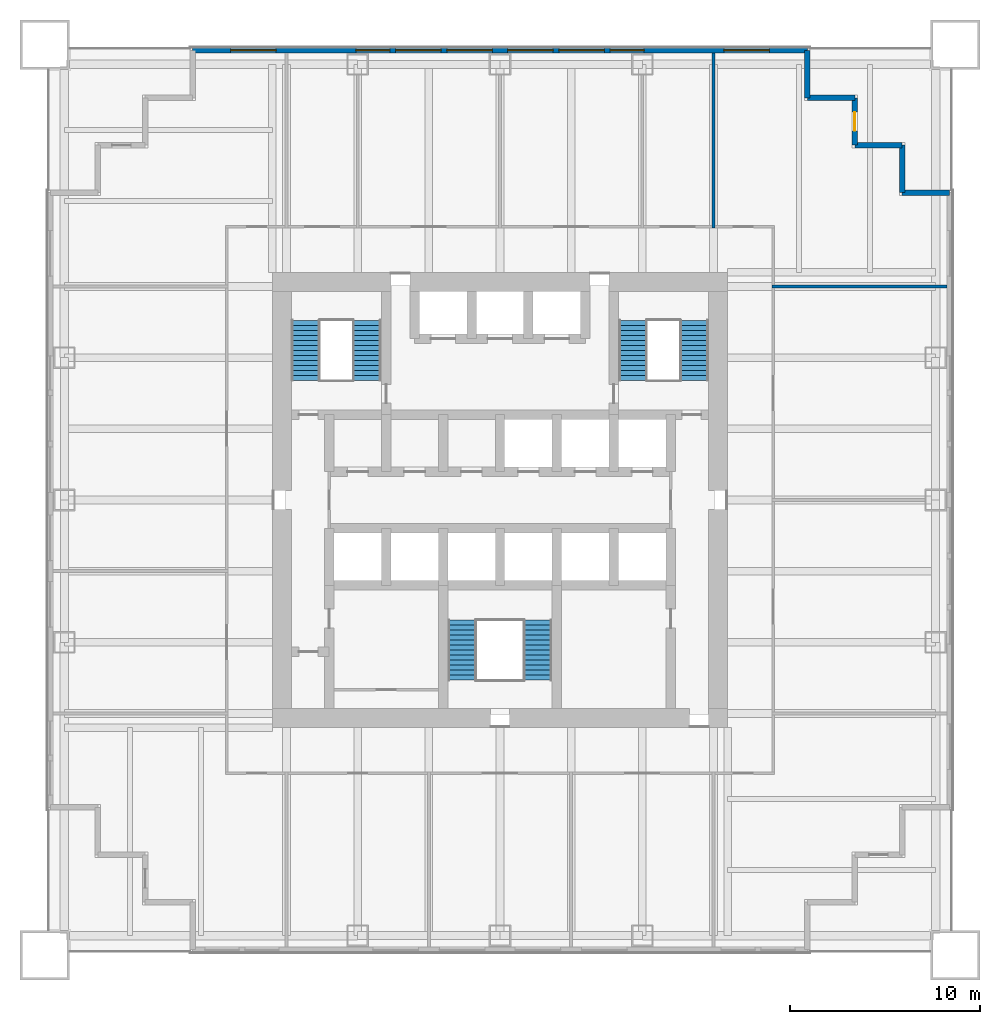
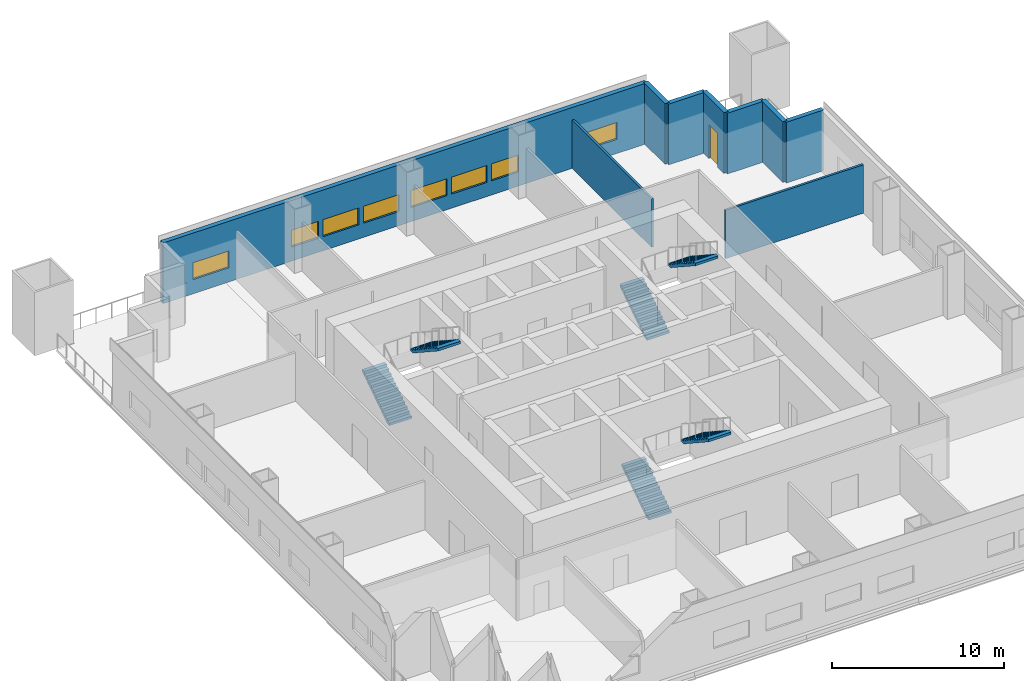
# One storey, part 5 of 6: 9 walls, 8 windows, 6 stair flights, 1 door, 9 openings, 3 elements without a shape of their own.
"""IFC4 building model written with IfcOpenShell, lengths in metres."""

from ifc_helpers import new_model, si_unit, direction, frame, frame_2d, origin, place, context, subcontext, project, spatial, polyline, rectangle, outline, extrude, material, layer, layer_set, type_object, element, fill, aggregate, save


model = new_model("IFC4")

# Units and contexts
model_context = context("Model", 3, precision=1e-05, world=origin(), true_north=direction((0.0, 1.0)))
body_context = subcontext(model_context, "Body", "Model", "MODEL_VIEW")
ifc_project = project(units=[si_unit("LENGTHUNIT", "METRE"), si_unit("AREAUNIT", "SQUARE_METRE"), si_unit("VOLUMEUNIT", "CUBIC_METRE"), si_unit("PLANEANGLEUNIT", "RADIAN"), si_unit("MASSUNIT", "GRAM", prefix="KILO")], contexts=[model_context])

# Site, building, storey
site_placement = place(None, origin())
site = spatial("IfcSite", under=ifc_project, at=site_placement, CompositionType="ELEMENT")
building_placement = place(site_placement, origin())
building = spatial("IfcBuilding", under=site, at=building_placement, Name="Tarangal Relay Tower", CompositionType="ELEMENT")
storey_placement = place(building_placement, frame((0.0, 0.0, 113.39990234375)))
storey = spatial("IfcBuildingStorey", under=building, at=storey_placement, Name="L22", CompositionType="ELEMENT", Elevation=113.39990234375)

# Wall, openings, windows
ifc_material_1 = material(Name="Insulated precast concrete fc' 40 MPa", Category="concrete")
ifc_layer_1 = layer(ifc_material_1, 0.300048828125)
ifc_layer_set_1 = layer_set([ifc_layer_1], Name="Insulated precast concrete fc' 40 MPa")
wall_type_1 = type_object("IfcWallType", Name="Facade wall precast 300", PredefinedType="SOLIDWALL", material=ifc_layer_set_1)
wall_1_placement = place(storey_placement, frame((-16.199951171875, 23.699951171875, 0.0), z_axis=(0.0, 0.0, 1.0), x_axis=(1.0, 0.0, 0.0)))
wall_1 = element("IfcWall", 1, at=wall_1_placement, inside=storey, type_object=wall_type_1, Name="Facade wall N facade L22", PredefinedType="SOLIDWALL", context=body_context, shape_type="SweptSolid", body=[
    extrude(rectangle(XDim=32.39990234375, YDim=0.300048828125, at=frame_2d((16.199951171875, 0.0))), origin(), (0.0, 0.0, 1.0), 4.300048828125),
])
opening_1_placement = place(wall_1_placement, frame((2.0, 0.0, 1.0)))
opening_1 = element("IfcOpeningElement", 2, at=opening_1_placement, cuts=wall_1, Name="Opening WN1", PredefinedType="OPENING", context=body_context, shape_type="SweptSolid", body=[
    extrude(rectangle(XDim=2.39990234375, YDim=1.199951171875, at=frame_2d((1.199951171875, 0.60009765625))), frame((0.0, 0.159912109375, 0.0), z_axis=(0.0, -1.0, 0.0), x_axis=(1.0, 0.0, 0.0)), (0.0, 0.0, 1.0), 0.320068359375),
])
opening_2_placement = place(wall_1_placement, frame((8.60009765625, 0.0, 1.0)))
opening_2 = element("IfcOpeningElement", 3, at=opening_2_placement, cuts=wall_1, Name="Opening WN5", PredefinedType="OPENING", context=body_context, shape_type="SweptSolid", body=[
    extrude(rectangle(XDim=1.800048828125, YDim=1.199951171875, at=frame_2d((0.89990234375, 0.60009765625))), frame((0.0, 0.159912109375, 0.0), z_axis=(0.0, -1.0, 0.0), x_axis=(1.0, 0.0, 0.0)), (0.0, 0.0, 1.0), 0.320068359375),
])
opening_3_placement = place(wall_1_placement, frame((10.699951171875, 0.0, 1.0)))
opening_3 = element("IfcOpeningElement", 4, at=opening_3_placement, cuts=wall_1, Name="Opening WN1", PredefinedType="OPENING", context=body_context, shape_type="SweptSolid", body=[
    extrude(rectangle(XDim=2.39990234375, YDim=1.199951171875, at=frame_2d((1.199951171875, 0.60009765625))), frame((0.0, 0.159912109375, 0.0), z_axis=(0.0, -1.0, 0.0), x_axis=(1.0, 0.0, 0.0)), (0.0, 0.0, 1.0), 0.320068359375),
])
opening_4_placement = place(wall_1_placement, frame((13.39990234375, 0.0, 1.0)))
opening_4 = element("IfcOpeningElement", 5, at=opening_4_placement, cuts=wall_1, Name="Opening WN1", PredefinedType="OPENING", context=body_context, shape_type="SweptSolid", body=[
    extrude(rectangle(XDim=2.39990234375, YDim=1.199951171875, at=frame_2d((1.199951171875, 0.60009765625))), frame((0.0, 0.159912109375, 0.0), z_axis=(0.0, -1.0, 0.0), x_axis=(1.0, 0.0, 0.0)), (0.0, 0.0, 1.0), 0.320068359375),
])
opening_5_placement = place(wall_1_placement, frame((16.60009765625, 0.0, 1.0)))
opening_5 = element("IfcOpeningElement", 6, at=opening_5_placement, cuts=wall_1, Name="Opening WN1", PredefinedType="OPENING", context=body_context, shape_type="SweptSolid", body=[
    extrude(rectangle(XDim=2.39990234375, YDim=1.199951171875, at=frame_2d((1.199951171875, 0.60009765625))), frame((0.0, 0.159912109375, 0.0), z_axis=(0.0, -1.0, 0.0), x_axis=(1.0, 0.0, 0.0)), (0.0, 0.0, 1.0), 0.320068359375),
])
opening_6_placement = place(wall_1_placement, frame((19.300048828125, 0.0, 1.0)))
opening_6 = element("IfcOpeningElement", 7, at=opening_6_placement, cuts=wall_1, Name="Opening WN1", PredefinedType="OPENING", context=body_context, shape_type="SweptSolid", body=[
    extrude(rectangle(XDim=2.39990234375, YDim=1.199951171875, at=frame_2d((1.199951171875, 0.60009765625))), frame((0.0, 0.159912109375, 0.0), z_axis=(0.0, -1.0, 0.0), x_axis=(1.0, 0.0, 0.0)), (0.0, 0.0, 1.0), 0.320068359375),
])
opening_7_placement = place(wall_1_placement, frame((22.0, 0.0, 1.0)))
opening_7 = element("IfcOpeningElement", 8, at=opening_7_placement, cuts=wall_1, Name="Opening WN5", PredefinedType="OPENING", context=body_context, shape_type="SweptSolid", body=[
    extrude(rectangle(XDim=1.800048828125, YDim=1.199951171875, at=frame_2d((0.89990234375, 0.60009765625))), frame((0.0, 0.159912109375, 0.0), z_axis=(0.0, -1.0, 0.0), x_axis=(1.0, 0.0, 0.0)), (0.0, 0.0, 1.0), 0.320068359375),
])
opening_8_placement = place(wall_1_placement, frame((28.0, 0.0, 1.0)))
opening_8 = element("IfcOpeningElement", 9, at=opening_8_placement, cuts=wall_1, Name="Opening WN1", PredefinedType="OPENING", context=body_context, shape_type="SweptSolid", body=[
    extrude(rectangle(XDim=2.39990234375, YDim=1.199951171875, at=frame_2d((1.199951171875, 0.60009765625))), frame((0.0, 0.159912109375, 0.0), z_axis=(0.0, -1.0, 0.0), x_axis=(1.0, 0.0, 0.0)), (0.0, 0.0, 1.0), 0.320068359375),
])
ifc_material_2 = material(Name="Dark tinted double glazing in black aluminium frame", Category="aluminium")
window_type_1 = type_object("IfcWindowType", Name="Ribbon window 1800 x 1200", PartitioningType="SINGLE_PANEL", PredefinedType="WINDOW", material=ifc_material_2)
window_1_placement = place(opening_2_placement, origin())
window_1 = element("IfcWindow", 10, at=window_1_placement, inside=storey, type_object=window_type_1, Name="Ribbon window WN5 N facade L22", OverallHeight=1.199951171875, OverallWidth=1.800048828125, PartitioningType="SINGLE_PANEL", PredefinedType="WINDOW", context=body_context, shape_type="SweptSolid", body=[
    extrude(rectangle(XDim=1.800048828125, YDim=1.199951171875, at=frame_2d((0.89990234375, 0.60009765625))), frame((0.0, 0.030029296875, 0.0), z_axis=(0.0, -1.0, 0.0), x_axis=(1.0, 0.0, 0.0)), (0.0, 0.0, 1.0), 0.06005859375),
])
fill(opening_2, window_1)
window_2_placement = place(opening_7_placement, origin())
window_2 = element("IfcWindow", 11, at=window_2_placement, inside=storey, type_object=window_type_1, Name="Ribbon window WN5 N facade L22", OverallHeight=1.199951171875, OverallWidth=1.800048828125, PartitioningType="SINGLE_PANEL", PredefinedType="WINDOW", context=body_context, shape_type="SweptSolid", body=[
    extrude(rectangle(XDim=1.800048828125, YDim=1.199951171875, at=frame_2d((0.89990234375, 0.60009765625))), frame((0.0, 0.030029296875, 0.0), z_axis=(0.0, -1.0, 0.0), x_axis=(1.0, 0.0, 0.0)), (0.0, 0.0, 1.0), 0.06005859375),
])
fill(opening_7, window_2)
window_type_2 = type_object("IfcWindowType", Name="Ribbon window 2400 x 1200", PartitioningType="SINGLE_PANEL", PredefinedType="WINDOW", material=ifc_material_2)
window_3_placement = place(opening_1_placement, origin())
window_3 = element("IfcWindow", 12, at=window_3_placement, inside=storey, type_object=window_type_2, Name="Ribbon window WN1 N facade L22", OverallHeight=1.199951171875, OverallWidth=2.39990234375, PartitioningType="SINGLE_PANEL", PredefinedType="WINDOW", context=body_context, shape_type="SweptSolid", body=[
    extrude(rectangle(XDim=2.39990234375, YDim=1.199951171875, at=frame_2d((1.199951171875, 0.60009765625))), frame((0.0, 0.030029296875, 0.0), z_axis=(0.0, -1.0, 0.0), x_axis=(1.0, 0.0, 0.0)), (0.0, 0.0, 1.0), 0.06005859375),
])
fill(opening_1, window_3)
window_4_placement = place(opening_3_placement, origin())
window_4 = element("IfcWindow", 13, at=window_4_placement, inside=storey, type_object=window_type_2, Name="Ribbon window WN1 N facade L22", OverallHeight=1.199951171875, OverallWidth=2.39990234375, PartitioningType="SINGLE_PANEL", PredefinedType="WINDOW", context=body_context, shape_type="SweptSolid", body=[
    extrude(rectangle(XDim=2.39990234375, YDim=1.199951171875, at=frame_2d((1.199951171875, 0.60009765625))), frame((0.0, 0.030029296875, 0.0), z_axis=(0.0, -1.0, 0.0), x_axis=(1.0, 0.0, 0.0)), (0.0, 0.0, 1.0), 0.06005859375),
])
fill(opening_3, window_4)
window_5_placement = place(opening_4_placement, origin())
window_5 = element("IfcWindow", 14, at=window_5_placement, inside=storey, type_object=window_type_2, Name="Ribbon window WN1 N facade L22", OverallHeight=1.199951171875, OverallWidth=2.39990234375, PartitioningType="SINGLE_PANEL", PredefinedType="WINDOW", context=body_context, shape_type="SweptSolid", body=[
    extrude(rectangle(XDim=2.39990234375, YDim=1.199951171875, at=frame_2d((1.199951171875, 0.60009765625))), frame((0.0, 0.030029296875, 0.0), z_axis=(0.0, -1.0, 0.0), x_axis=(1.0, 0.0, 0.0)), (0.0, 0.0, 1.0), 0.06005859375),
])
fill(opening_4, window_5)
window_6_placement = place(opening_5_placement, origin())
window_6 = element("IfcWindow", 15, at=window_6_placement, inside=storey, type_object=window_type_2, Name="Ribbon window WN1 N facade L22", OverallHeight=1.199951171875, OverallWidth=2.39990234375, PartitioningType="SINGLE_PANEL", PredefinedType="WINDOW", context=body_context, shape_type="SweptSolid", body=[
    extrude(rectangle(XDim=2.39990234375, YDim=1.199951171875, at=frame_2d((1.199951171875, 0.60009765625))), frame((0.0, 0.030029296875, 0.0), z_axis=(0.0, -1.0, 0.0), x_axis=(1.0, 0.0, 0.0)), (0.0, 0.0, 1.0), 0.06005859375),
])
fill(opening_5, window_6)
window_7_placement = place(opening_6_placement, origin())
window_7 = element("IfcWindow", 16, at=window_7_placement, inside=storey, type_object=window_type_2, Name="Ribbon window WN1 N facade L22", OverallHeight=1.199951171875, OverallWidth=2.39990234375, PartitioningType="SINGLE_PANEL", PredefinedType="WINDOW", context=body_context, shape_type="SweptSolid", body=[
    extrude(rectangle(XDim=2.39990234375, YDim=1.199951171875, at=frame_2d((1.199951171875, 0.60009765625))), frame((0.0, 0.030029296875, 0.0), z_axis=(0.0, -1.0, 0.0), x_axis=(1.0, 0.0, 0.0)), (0.0, 0.0, 1.0), 0.06005859375),
])
fill(opening_6, window_7)
window_8_placement = place(opening_8_placement, origin())
window_8 = element("IfcWindow", 17, at=window_8_placement, inside=storey, type_object=window_type_2, Name="Ribbon window WN1 N facade L22", OverallHeight=1.199951171875, OverallWidth=2.39990234375, PartitioningType="SINGLE_PANEL", PredefinedType="WINDOW", context=body_context, shape_type="SweptSolid", body=[
    extrude(rectangle(XDim=2.39990234375, YDim=1.199951171875, at=frame_2d((1.199951171875, 0.60009765625))), frame((0.0, 0.030029296875, 0.0), z_axis=(0.0, -1.0, 0.0), x_axis=(1.0, 0.0, 0.0)), (0.0, 0.0, 1.0), 0.06005859375),
])
fill(opening_8, window_8)

# Walls
for number, where, z_axis, x_axis, name in (
    (18, (16.199951171875, 23.699951171875, 0.0), (0.0, 0.0, 1.0), (0.0, -1.0, 0.0), "Facade wall N facade L22"),
    (19, (16.199951171875, 21.199951171875, 0.0), (0.0, 0.0, 1.0), (1.0, 0.0, 0.0), "Facade wall N facade L22"),
):
    element("IfcWall", number, at=place(storey_placement, frame(where, z_axis=z_axis, x_axis=x_axis)), inside=storey, type_object=wall_type_1, Name=name, PredefinedType="SOLIDWALL", context=body_context, shape_type="SweptSolid", body=[
        extrude(rectangle(XDim=2.5, YDim=0.300048828125, at=frame_2d((1.25, 0.0))), origin(), (0.0, 0.0, 1.0), 4.300048828125),
    ])

# Wall, opening, door
wall_2_placement = place(storey_placement, frame((18.699951171875, 21.199951171875, 0.0), z_axis=(0.0, 0.0, 1.0), x_axis=(0.0, -1.0, 0.0)))
wall_2 = element("IfcWall", 20, at=wall_2_placement, inside=storey, type_object=wall_type_1, Name="Facade wall N facade L22", PredefinedType="SOLIDWALL", context=body_context, shape_type="SweptSolid", body=[
    extrude(rectangle(XDim=2.5, YDim=0.300048828125, at=frame_2d((1.25, 0.0))), origin(), (0.0, 0.0, 1.0), 4.300048828125),
])
opening_9_placement = place(wall_2_placement, frame((0.75, 0.0, 0.0)))
opening_9 = element("IfcOpeningElement", 21, at=opening_9_placement, cuts=wall_2, Name="Opening TD1", PredefinedType="OPENING", context=body_context, shape_type="SweptSolid", body=[
    extrude(rectangle(XDim=1.0, YDim=2.39990234375, at=frame_2d((0.5, 1.199951171875))), frame((0.0, 0.159912109375, 0.0), z_axis=(0.0, -1.0, 0.0), x_axis=(1.0, 0.0, 0.0)), (0.0, 0.0, 1.0), 0.320068359375),
])
ifc_material_3 = material(Name="Aluminium glazed door", Category="aluminium")
door_type = type_object("IfcDoorType", Name="Terrace door 1000 x 2400", OperationType="SINGLE_SWING_RIGHT", PredefinedType="DOOR", material=ifc_material_3)
door_placement = place(opening_9_placement, origin())
door = element("IfcDoor", 22, at=door_placement, inside=storey, type_object=door_type, Name="Terrace door TD1 NE L22", OperationType="SINGLE_SWING_RIGHT", OverallHeight=2.39990234375, OverallWidth=1.0, PredefinedType="DOOR", context=body_context, shape_type="SweptSolid", body=[
    extrude(rectangle(XDim=1.0, YDim=2.39990234375, at=frame_2d((0.5, 1.199951171875))), frame((0.0, 0.02490234375, 0.0), z_axis=(0.0, -1.0, 0.0), x_axis=(1.0, 0.0, 0.0)), (0.0, 0.0, 1.0), 0.050048828125),
])
fill(opening_9, door)

# Walls
for number, where, z_axis, x_axis, name in (
    (23, (18.699951171875, 18.699951171875, 0.0), (0.0, 0.0, 1.0), (1.0, 0.0, 0.0), "Facade wall N facade L22"),
    (24, (21.199951171875, 18.699951171875, 0.0), (0.0, 0.0, 1.0), (0.0, -1.0, 0.0), "Facade wall N facade L22"),
    (25, (21.199951171875, 16.199951171875, 0.0), (0.0, 0.0, 1.0), (1.0, 0.0, 0.0), "Facade wall N facade L22"),
):
    element("IfcWall", number, at=place(storey_placement, frame(where, z_axis=z_axis, x_axis=x_axis)), inside=storey, type_object=wall_type_1, Name=name, PredefinedType="SOLIDWALL", context=body_context, shape_type="SweptSolid", body=[
        extrude(rectangle(XDim=2.5, YDim=0.300048828125, at=frame_2d((1.25, 0.0))), origin(), (0.0, 0.0, 1.0), 4.300048828125),
    ])
ifc_material_4 = material(Name="Gypsum board on steel studs", Category="steel")
ifc_layer_2 = layer(ifc_material_4, 0.14990234375)
ifc_layer_set_2 = layer_set([ifc_layer_2], Name="Partition 150")
wall_type_2 = type_object("IfcWallType", Name="Partition 150", PredefinedType="PARTITIONING", material=ifc_layer_set_2)
for number, where, z_axis, x_axis, name in (
    (26, (14.324951171875, 11.25, 0.0), (0.0, 0.0, 1.0), (1.0, 0.0, 0.0), "Partition PT1 L22"),
    (27, (11.25, 14.324951171875, 0.0), (0.0, 0.0, 1.0), (0.0, 1.0, 0.0), "Partition PT1 L22"),
):
    element("IfcWall", number, at=place(storey_placement, frame(where, z_axis=z_axis, x_axis=x_axis)), inside=storey, type_object=wall_type_2, Name=name, PredefinedType="PARTITIONING", context=body_context, shape_type="SweptSolid", body=[
        extrude(rectangle(XDim=9.22509765625, YDim=0.14990234375, at=frame_2d((4.612548828125, 0.0))), origin(), (0.0, 0.0, 1.0), 3.431396484375),
    ])

# Stair, stair flights
ifc_material_5 = material(Name="Steel ASTM A992 stair flight", Category="steel")
stair_type = type_object("IfcStairType", Name="Core stair 1500", PredefinedType="HALF_TURN_STAIR", material=ifc_material_5)
stair_1_placement = place(storey_placement, origin())
stair_1 = element("IfcStair", 28, at=stair_1_placement, inside=storey, type_object=stair_type, Name="Stair ST-A L22", PredefinedType="HALF_TURN_STAIR")
stair_flight_type = type_object("IfcStairFlightType", Name="Steel stair flight 1500, 13 risers 173 x 264", PredefinedType="STRAIGHT", material=ifc_material_5)
stair_flight_1_placement = place(storey_placement, frame((-10.25, 6.300048828125, 0.0), z_axis=(0.0, 0.0, 1.0), x_axis=(0.0, 1.0, 0.0)))
stair_flight_1 = element("IfcStairFlight", 29, at=stair_flight_1_placement, type_object=stair_flight_type, Name="ST-A flight 1", NumberOfRisers=13, NumberOfTreads=12, PredefinedType="STRAIGHT", RiserHeight=0.173076923, TreadLength=0.264, context=body_context, shape_type="SweptSolid", body=[
    extrude(outline(polyline([(0.0, 0.0), (0.0, 0.173095703125), (0.263916015625, 0.173095703125), (0.263916015625, 0.34619140625), (0.528076171875, 0.34619140625), (0.528076171875, 0.519287109375), (0.7919921875, 0.519287109375), (0.7919921875, 0.6923828125), (1.055908203125, 0.6923828125), (1.055908203125, 0.865478515625), (1.320068359375, 0.865478515625), (1.320068359375, 1.03857421875), (1.583984375, 1.03857421875), (1.583984375, 1.21142578125), (1.847900390625, 1.21142578125), (1.847900390625, 1.384521484375), (2.112060546875, 1.384521484375), (2.112060546875, 1.5576171875), (2.3759765625, 1.5576171875), (2.3759765625, 1.730712890625), (2.639892578125, 1.730712890625), (2.639892578125, 1.90380859375), (2.904052734375, 1.90380859375), (2.904052734375, 2.076904296875), (3.16796875, 2.076904296875), (3.16796875, 2.25), (3.16796875, 1.897705078125), (0.2734375, 0.0), (0.0, 0.0)])), frame((0.0, 0.75, 0.0), z_axis=(0.0, -1.0, 0.0), x_axis=(1.0, 0.0, 0.0)), (0.0, 0.0, 1.0), 1.5),
])
stair_flight_2_placement = place(storey_placement, frame((-7.0, 9.468017578125, 2.25), z_axis=(0.0, 0.0, 1.0), x_axis=(0.0, -1.0, 0.0)))
stair_flight_2 = element("IfcStairFlight", 30, at=stair_flight_2_placement, type_object=stair_flight_type, Name="ST-A flight 2", NumberOfRisers=13, NumberOfTreads=12, PredefinedType="STRAIGHT", RiserHeight=0.173076923, TreadLength=0.264, context=body_context, shape_type="SweptSolid", body=[
    extrude(outline(polyline([(0.0, 0.0), (0.0, 0.173095703125), (0.263916015625, 0.173095703125), (0.263916015625, 0.34619140625), (0.528076171875, 0.34619140625), (0.528076171875, 0.519287109375), (0.7919921875, 0.519287109375), (0.7919921875, 0.6923828125), (1.055908203125, 0.6923828125), (1.055908203125, 0.865478515625), (1.320068359375, 0.865478515625), (1.320068359375, 1.03857421875), (1.583984375, 1.03857421875), (1.583984375, 1.21142578125), (1.847900390625, 1.21142578125), (1.847900390625, 1.384521484375), (2.112060546875, 1.384521484375), (2.112060546875, 1.5576171875), (2.3759765625, 1.5576171875), (2.3759765625, 1.730712890625), (2.639892578125, 1.730712890625), (2.639892578125, 1.90380859375), (2.904052734375, 1.90380859375), (2.904052734375, 2.076904296875), (3.16796875, 2.076904296875), (3.16796875, 2.25), (3.16796875, 1.897705078125), (0.2734375, 0.0), (0.0, 0.0)])), frame((0.0, 0.75, 0.0), z_axis=(0.0, -1.0, 0.0), x_axis=(1.0, 0.0, 0.0)), (0.0, 0.0, 1.0), 1.5),
])
aggregate(stair_1, [stair_flight_1, stair_flight_2])

stair_2_placement = place(storey_placement, origin())
stair_2 = element("IfcStair", 31, at=stair_2_placement, inside=storey, type_object=stair_type, Name="Stair ST-B L22", PredefinedType="HALF_TURN_STAIR")
stair_flight_3_placement = place(storey_placement, frame((7.0, 6.300048828125, 0.0), z_axis=(0.0, 0.0, 1.0), x_axis=(0.0, 1.0, 0.0)))
stair_flight_3 = element("IfcStairFlight", 32, at=stair_flight_3_placement, type_object=stair_flight_type, Name="ST-B flight 1", NumberOfRisers=13, NumberOfTreads=12, PredefinedType="STRAIGHT", RiserHeight=0.173076923, TreadLength=0.264, context=body_context, shape_type="SweptSolid", body=[
    extrude(outline(polyline([(0.0, 0.0), (0.0, 0.173095703125), (0.263916015625, 0.173095703125), (0.263916015625, 0.34619140625), (0.528076171875, 0.34619140625), (0.528076171875, 0.519287109375), (0.7919921875, 0.519287109375), (0.7919921875, 0.6923828125), (1.055908203125, 0.6923828125), (1.055908203125, 0.865478515625), (1.320068359375, 0.865478515625), (1.320068359375, 1.03857421875), (1.583984375, 1.03857421875), (1.583984375, 1.21142578125), (1.847900390625, 1.21142578125), (1.847900390625, 1.384521484375), (2.112060546875, 1.384521484375), (2.112060546875, 1.5576171875), (2.3759765625, 1.5576171875), (2.3759765625, 1.730712890625), (2.639892578125, 1.730712890625), (2.639892578125, 1.90380859375), (2.904052734375, 1.90380859375), (2.904052734375, 2.076904296875), (3.16796875, 2.076904296875), (3.16796875, 2.25), (3.16796875, 1.897705078125), (0.2734375, 0.0), (0.0, 0.0)])), frame((0.0, 0.75, 0.0), z_axis=(0.0, -1.0, 0.0), x_axis=(1.0, 0.0, 0.0)), (0.0, 0.0, 1.0), 1.5),
])
stair_flight_4_placement = place(storey_placement, frame((10.25, 9.468017578125, 2.25), z_axis=(0.0, 0.0, 1.0), x_axis=(0.0, -1.0, 0.0)))
stair_flight_4 = element("IfcStairFlight", 33, at=stair_flight_4_placement, type_object=stair_flight_type, Name="ST-B flight 2", NumberOfRisers=13, NumberOfTreads=12, PredefinedType="STRAIGHT", RiserHeight=0.173076923, TreadLength=0.264, context=body_context, shape_type="SweptSolid", body=[
    extrude(outline(polyline([(0.0, 0.0), (0.0, 0.173095703125), (0.263916015625, 0.173095703125), (0.263916015625, 0.34619140625), (0.528076171875, 0.34619140625), (0.528076171875, 0.519287109375), (0.7919921875, 0.519287109375), (0.7919921875, 0.6923828125), (1.055908203125, 0.6923828125), (1.055908203125, 0.865478515625), (1.320068359375, 0.865478515625), (1.320068359375, 1.03857421875), (1.583984375, 1.03857421875), (1.583984375, 1.21142578125), (1.847900390625, 1.21142578125), (1.847900390625, 1.384521484375), (2.112060546875, 1.384521484375), (2.112060546875, 1.5576171875), (2.3759765625, 1.5576171875), (2.3759765625, 1.730712890625), (2.639892578125, 1.730712890625), (2.639892578125, 1.90380859375), (2.904052734375, 1.90380859375), (2.904052734375, 2.076904296875), (3.16796875, 2.076904296875), (3.16796875, 2.25), (3.16796875, 1.897705078125), (0.2734375, 0.0), (0.0, 0.0)])), frame((0.0, 0.75, 0.0), z_axis=(0.0, -1.0, 0.0), x_axis=(1.0, 0.0, 0.0)), (0.0, 0.0, 1.0), 1.5),
])
aggregate(stair_2, [stair_flight_3, stair_flight_4])

stair_3_placement = place(storey_placement, origin())
stair_3 = element("IfcStair", 34, at=stair_3_placement, inside=storey, type_object=stair_type, Name="Stair ST-C L22", PredefinedType="HALF_TURN_STAIR")
stair_flight_5_placement = place(storey_placement, frame((-2.0, -9.5, 0.0), z_axis=(0.0, 0.0, 1.0), x_axis=(0.0, 1.0, 0.0)))
stair_flight_5 = element("IfcStairFlight", 35, at=stair_flight_5_placement, type_object=stair_flight_type, Name="ST-C flight 1", NumberOfRisers=13, NumberOfTreads=12, PredefinedType="STRAIGHT", RiserHeight=0.173076923, TreadLength=0.264, context=body_context, shape_type="SweptSolid", body=[
    extrude(outline(polyline([(0.0, 0.0), (0.0, 0.173095703125), (0.263916015625, 0.173095703125), (0.263916015625, 0.34619140625), (0.528076171875, 0.34619140625), (0.528076171875, 0.519287109375), (0.7919921875, 0.519287109375), (0.7919921875, 0.6923828125), (1.055908203125, 0.6923828125), (1.055908203125, 0.865478515625), (1.320068359375, 0.865478515625), (1.320068359375, 1.03857421875), (1.583984375, 1.03857421875), (1.583984375, 1.21142578125), (1.847900390625, 1.21142578125), (1.847900390625, 1.384521484375), (2.112060546875, 1.384521484375), (2.112060546875, 1.5576171875), (2.3759765625, 1.5576171875), (2.3759765625, 1.730712890625), (2.639892578125, 1.730712890625), (2.639892578125, 1.90380859375), (2.904052734375, 1.90380859375), (2.904052734375, 2.076904296875), (3.16796875, 2.076904296875), (3.16796875, 2.25), (3.16796875, 1.897705078125), (0.2734375, 0.0), (0.0, 0.0)])), frame((0.0, 0.75, 0.0), z_axis=(0.0, -1.0, 0.0), x_axis=(1.0, 0.0, 0.0)), (0.0, 0.0, 1.0), 1.5),
])
stair_flight_6_placement = place(storey_placement, frame((2.0, -6.33203125, 2.25), z_axis=(0.0, 0.0, 1.0), x_axis=(0.0, -1.0, 0.0)))
stair_flight_6 = element("IfcStairFlight", 36, at=stair_flight_6_placement, type_object=stair_flight_type, Name="ST-C flight 2", NumberOfRisers=13, NumberOfTreads=12, PredefinedType="STRAIGHT", RiserHeight=0.173076923, TreadLength=0.264, context=body_context, shape_type="SweptSolid", body=[
    extrude(outline(polyline([(0.0, 0.0), (0.0, 0.173095703125), (0.263916015625, 0.173095703125), (0.263916015625, 0.34619140625), (0.528076171875, 0.34619140625), (0.528076171875, 0.519287109375), (0.7919921875, 0.519287109375), (0.7919921875, 0.6923828125), (1.055908203125, 0.6923828125), (1.055908203125, 0.865478515625), (1.320068359375, 0.865478515625), (1.320068359375, 1.03857421875), (1.583984375, 1.03857421875), (1.583984375, 1.21142578125), (1.847900390625, 1.21142578125), (1.847900390625, 1.384521484375), (2.112060546875, 1.384521484375), (2.112060546875, 1.5576171875), (2.3759765625, 1.5576171875), (2.3759765625, 1.730712890625), (2.639892578125, 1.730712890625), (2.639892578125, 1.90380859375), (2.904052734375, 1.90380859375), (2.904052734375, 2.076904296875), (3.16796875, 2.076904296875), (3.16796875, 2.25), (3.16796875, 1.897705078125), (0.2734375, 0.0), (0.0, 0.0)])), frame((0.0, 0.75, 0.0), z_axis=(0.0, -1.0, 0.0), x_axis=(1.0, 0.0, 0.0)), (0.0, 0.0, 1.0), 1.5),
])
aggregate(stair_3, [stair_flight_5, stair_flight_6])

save(model, "model.ifc")
